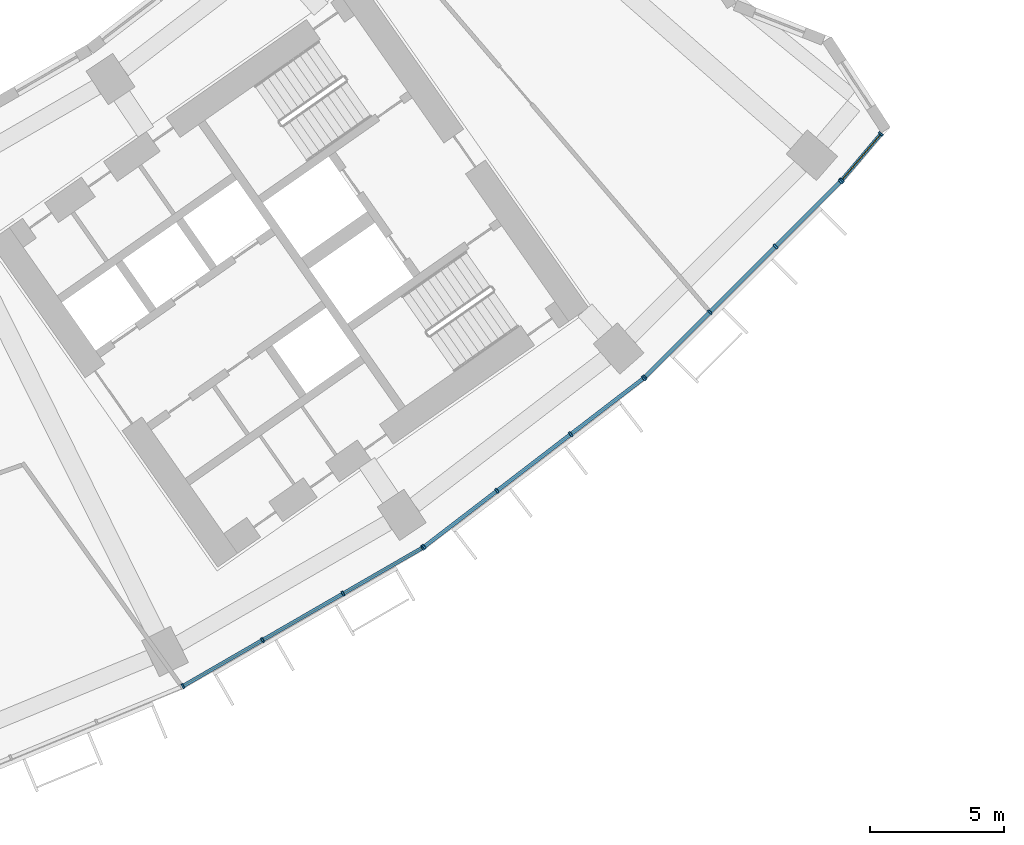
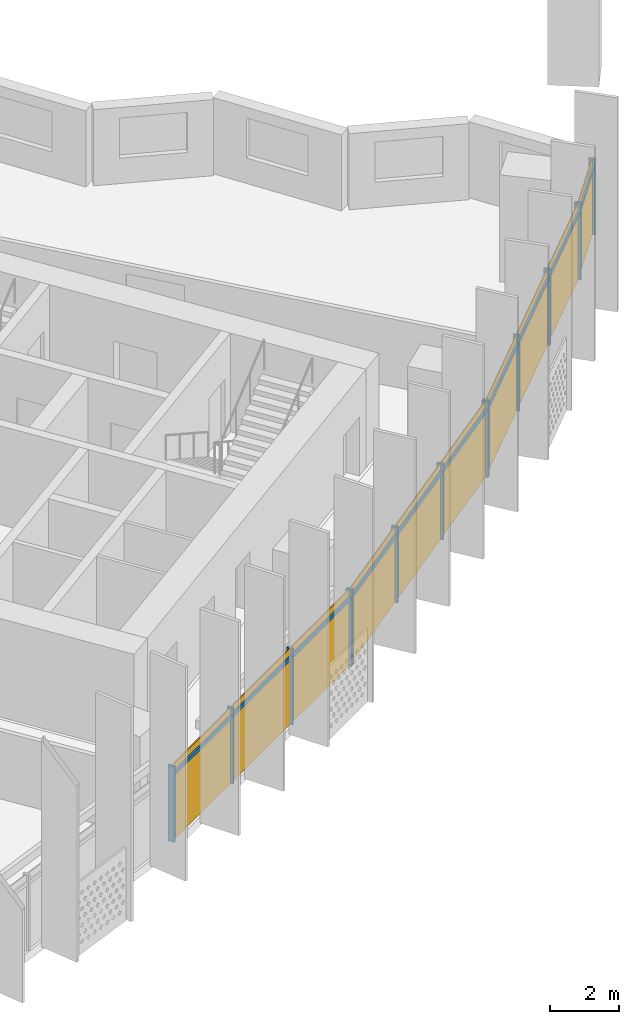
# One storey, part 22 of 30: 24 members, 4 curtain walls.
"""IFC4 building model written with IfcOpenShell, lengths in metres."""

from ifc_helpers import new_model, si_unit, direction, frame, origin, origin_2d, place, context, subcontext, project, spatial, rectangle, extrude, material, material_profile, profile_set, type_object, element, aggregate, save


model = new_model("IFC4")

# Units and contexts
model_context = context("Model", 3, precision=1e-05, world=origin(), true_north=direction((0.0, 1.0)))
body_context = subcontext(model_context, "Body", "Model", "MODEL_VIEW")
ifc_project = project(units=[si_unit("LENGTHUNIT", "METRE"), si_unit("AREAUNIT", "SQUARE_METRE"), si_unit("VOLUMEUNIT", "CUBIC_METRE"), si_unit("PLANEANGLEUNIT", "RADIAN"), si_unit("MASSUNIT", "GRAM", prefix="KILO")], contexts=[model_context])

# Member
ifc_material = material(Name="Aluminium 6063-T6 anodised", Category="aluminium")
ifc_material_profile_1 = material_profile(ifc_material, rectangle(XDim=0.199951171875, YDim=0.070068359375, at=origin_2d()))
ifc_profile_set_1 = profile_set([ifc_material_profile_1], Name="Aluminium 6063-T6 anodised")
member_type_1 = type_object("IfcMemberType", Name="Mullion 70 x 200 aluminium", PredefinedType="MULLION", material=ifc_profile_set_1)
site_placement = place(None, origin())
building_placement = place(site_placement, origin())
storey_placement = place(building_placement, frame((0.0, 0.0, 117.699951171875)))
member_1_placement = place(storey_placement, frame((35.0537109375, -71.017822265625, 0.0), z_axis=(0.0, 0.0, 1.0), x_axis=(-0.5, 0.866025403784, 0.0)))
member_1 = element("IfcMember", 1, at=member_1_placement, type_object=member_type_1, Name="e-cw1-L26-out13/M00", PredefinedType="MULLION", context=body_context, shape_type="SweptSolid", body=[
    extrude(rectangle(XDim=0.199951171875, YDim=0.070068359375, at=origin_2d()), origin(), (0.0, 0.0, 1.0), 2.699951171875),
])

member_2_placement = place(storey_placement, frame((38.017822265625, -69.306640625, 0.0), z_axis=(0.0, 0.0, 1.0), x_axis=(-0.5, 0.866025403784, 0.0)))
member_2 = element("IfcMember", 2, at=member_2_placement, type_object=member_type_1, Name="e-cw1-L26-out13/M01", PredefinedType="MULLION", context=body_context, shape_type="SweptSolid", body=[
    extrude(rectangle(XDim=0.199951171875, YDim=0.070068359375, at=origin_2d()), origin(), (0.0, 0.0, 1.0), 2.699951171875),
])

member_3_placement = place(storey_placement, frame((41.01220703125, -67.577880859375, 0.0), z_axis=(0.0, 0.0, 1.0), x_axis=(-0.5, 0.866025403784, 0.0)))
member_3 = element("IfcMember", 3, at=member_3_placement, type_object=member_type_1, Name="e-cw1-L26-out13/M02", PredefinedType="MULLION", context=body_context, shape_type="SweptSolid", body=[
    extrude(rectangle(XDim=0.199951171875, YDim=0.070068359375, at=origin_2d()), origin(), (0.0, 0.0, 1.0), 2.699951171875),
])

member_4_placement = place(storey_placement, frame((43.976318359375, -65.866455078125, 0.0), z_axis=(0.0, 0.0, 1.0), x_axis=(-0.5, 0.866025403784, 0.0)))
member_4 = element("IfcMember", 4, at=member_4_placement, type_object=member_type_1, Name="e-cw1-L26-out13/M03", PredefinedType="MULLION", context=body_context, shape_type="SweptSolid", body=[
    extrude(rectangle(XDim=0.199951171875, YDim=0.070068359375, at=origin_2d()), origin(), (0.0, 0.0, 1.0), 2.699951171875),
])

member_5_placement = place(storey_placement, frame((44.023681640625, -65.8349609375, 0.0), z_axis=(0.0, 0.0, 1.0), x_axis=(-0.608761429009, 0.793353340291, 0.0)))
member_5 = element("IfcMember", 5, at=member_5_placement, type_object=member_type_1, Name="e-cw1-L26-out14/M00", PredefinedType="MULLION", context=body_context, shape_type="SweptSolid", body=[
    extrude(rectangle(XDim=0.199951171875, YDim=0.070068359375, at=origin_2d()), origin(), (0.0, 0.0, 1.0), 2.699951171875),
])

member_6_placement = place(storey_placement, frame((46.739013671875, -63.751220703125, 0.0), z_axis=(0.0, 0.0, 1.0), x_axis=(-0.608761429009, 0.793353340291, 0.0)))
member_6 = element("IfcMember", 6, at=member_6_placement, type_object=member_type_1, Name="e-cw1-L26-out14/M01", PredefinedType="MULLION", context=body_context, shape_type="SweptSolid", body=[
    extrude(rectangle(XDim=0.199951171875, YDim=0.070068359375, at=origin_2d()), origin(), (0.0, 0.0, 1.0), 2.699951171875),
])

member_7_placement = place(storey_placement, frame((49.482177734375, -61.646484375, 0.0), z_axis=(0.0, 0.0, 1.0), x_axis=(-0.608761429009, 0.793353340291, 0.0)))
member_7 = element("IfcMember", 7, at=member_7_placement, type_object=member_type_1, Name="e-cw1-L26-out14/M02", PredefinedType="MULLION", context=body_context, shape_type="SweptSolid", body=[
    extrude(rectangle(XDim=0.199951171875, YDim=0.070068359375, at=origin_2d()), origin(), (0.0, 0.0, 1.0), 2.699951171875),
])

member_8_placement = place(storey_placement, frame((52.197509765625, -59.56298828125, 0.0), z_axis=(0.0, 0.0, 1.0), x_axis=(-0.608761429009, 0.793353340291, 0.0)))
member_8 = element("IfcMember", 8, at=member_8_placement, type_object=member_type_1, Name="e-cw1-L26-out14/M03", PredefinedType="MULLION", context=body_context, shape_type="SweptSolid", body=[
    extrude(rectangle(XDim=0.199951171875, YDim=0.070068359375, at=origin_2d()), origin(), (0.0, 0.0, 1.0), 2.699951171875),
])

member_9_placement = place(storey_placement, frame((52.240234375, -59.525390625, 0.0), z_axis=(0.0, 0.0, 1.0), x_axis=(-0.707106781187, 0.707106781187, 0.0)))
member_9 = element("IfcMember", 9, at=member_9_placement, type_object=member_type_1, Name="e-cw1-L26-out15/M00", PredefinedType="MULLION", context=body_context, shape_type="SweptSolid", body=[
    extrude(rectangle(XDim=0.199951171875, YDim=0.070068359375, at=origin_2d()), origin(), (0.0, 0.0, 1.0), 2.699951171875),
])

member_10_placement = place(storey_placement, frame((54.660400390625, -57.105224609375, 0.0), z_axis=(0.0, 0.0, 1.0), x_axis=(-0.707106781187, 0.707106781187, 0.0)))
member_10 = element("IfcMember", 10, at=member_10_placement, type_object=member_type_1, Name="e-cw1-L26-out15/M01", PredefinedType="MULLION", context=body_context, shape_type="SweptSolid", body=[
    extrude(rectangle(XDim=0.199951171875, YDim=0.070068359375, at=origin_2d()), origin(), (0.0, 0.0, 1.0), 2.699951171875),
])

member_11_placement = place(storey_placement, frame((57.105224609375, -54.660400390625, 0.0), z_axis=(0.0, 0.0, 1.0), x_axis=(-0.707106781187, 0.707106781187, 0.0)))
member_11 = element("IfcMember", 11, at=member_11_placement, type_object=member_type_1, Name="e-cw1-L26-out15/M02", PredefinedType="MULLION", context=body_context, shape_type="SweptSolid", body=[
    extrude(rectangle(XDim=0.199951171875, YDim=0.070068359375, at=origin_2d()), origin(), (0.0, 0.0, 1.0), 2.699951171875),
])

member_12_placement = place(storey_placement, frame((59.525390625, -52.240234375, 0.0), z_axis=(0.0, 0.0, 1.0), x_axis=(-0.707106781187, 0.707106781187, 0.0)))
member_12 = element("IfcMember", 12, at=member_12_placement, type_object=member_type_1, Name="e-cw1-L26-out15/M03", PredefinedType="MULLION", context=body_context, shape_type="SweptSolid", body=[
    extrude(rectangle(XDim=0.199951171875, YDim=0.070068359375, at=origin_2d()), origin(), (0.0, 0.0, 1.0), 2.699951171875),
])

member_13_placement = place(storey_placement, frame((59.567138671875, -52.19482421875, 0.0), z_axis=(0.0, 0.0, 1.0), x_axis=(-0.762997443444, 0.646401501621, 0.0)))
member_13 = element("IfcMember", 13, at=member_13_placement, type_object=member_type_1, Name="e-cw1-L26-out16/M00", PredefinedType="MULLION", context=body_context, shape_type="SweptSolid", body=[
    extrude(rectangle(XDim=0.199951171875, YDim=0.070068359375, at=origin_2d()), origin(), (0.0, 0.0, 1.0), 2.699951171875),
])

member_14_placement = place(storey_placement, frame((61.025146484375, -50.47412109375, 0.0), z_axis=(0.0, 0.0, 1.0), x_axis=(-0.762997443444, 0.646401501621, 0.0)))
member_14 = element("IfcMember", 14, at=member_14_placement, type_object=member_type_1, Name="e-cw1-L26-out16/M01", PredefinedType="MULLION", context=body_context, shape_type="SweptSolid", body=[
    extrude(rectangle(XDim=0.199951171875, YDim=0.070068359375, at=origin_2d()), origin(), (0.0, 0.0, 1.0), 2.699951171875),
])

ifc_material_profile_2 = material_profile(ifc_material, rectangle(XDim=0.139892578125, YDim=0.1201171875, at=origin_2d()))
ifc_profile_set_2 = profile_set([ifc_material_profile_2], Name="Aluminium 6063-T6 anodised")
member_type_2 = type_object("IfcMemberType", Name="Transom 120 x 140 aluminium", PredefinedType="USERDEFINED", material=ifc_profile_set_2)
member_15_placement = place(storey_placement, frame((35.084228515625, -71.00048828125, 2.400146484375), z_axis=(0.865989120267, 0.50006283963, 0.0), x_axis=(-0.50006283963, 0.865989120267, 0.0)))
member_15 = element("IfcMember", 15, at=member_15_placement, type_object=member_type_2, Name="e-cw1-L26-out13/T00", ObjectType="TRANSOM", PredefinedType="USERDEFINED", context=body_context, shape_type="SweptSolid", body=[
    extrude(rectangle(XDim=0.139892578125, YDim=0.1201171875, at=origin_2d()), origin(), (0.0, 0.0, 1.0), 3.3525390625),
])

member_16_placement = place(storey_placement, frame((38.048095703125, -69.2890625, 2.400146484375), z_axis=(0.866025971257, 0.499999017107, 0.0), x_axis=(-0.499999017107, 0.866025971257, 0.0)))
member_16 = element("IfcMember", 16, at=member_16_placement, type_object=member_type_2, Name="e-cw1-L26-out13/T01", ObjectType="TRANSOM", PredefinedType="USERDEFINED", context=body_context, shape_type="SweptSolid", body=[
    extrude(rectangle(XDim=0.139892578125, YDim=0.1201171875, at=origin_2d()), origin(), (0.0, 0.0, 1.0), 3.3876953125),
])

member_17_placement = place(storey_placement, frame((41.042724609375, -67.560302734375, 2.400146484375), z_axis=(0.866020654818, 0.50000822536, 0.0), x_axis=(-0.50000822536, 0.866020654818, 0.0)))
member_17 = element("IfcMember", 17, at=member_17_placement, type_object=member_type_2, Name="e-cw1-L26-out13/T02", ObjectType="TRANSOM", PredefinedType="USERDEFINED", context=body_context, shape_type="SweptSolid", body=[
    extrude(rectangle(XDim=0.139892578125, YDim=0.1201171875, at=origin_2d()), origin(), (0.0, 0.0, 1.0), 3.3525390625),
])

member_18_placement = place(storey_placement, frame((44.05126953125, -65.8134765625, 2.400146484375), z_axis=(0.793389477316, 0.608714331426, 0.0), x_axis=(-0.608714331426, 0.793389477316, 0.0)))
member_18 = element("IfcMember", 18, at=member_18_placement, type_object=member_type_2, Name="e-cw1-L26-out14/T00", ObjectType="TRANSOM", PredefinedType="USERDEFINED", context=body_context, shape_type="SweptSolid", body=[
    extrude(rectangle(XDim=0.139892578125, YDim=0.1201171875, at=origin_2d()), origin(), (0.0, 0.0, 1.0), 3.3525390625),
])

member_19_placement = place(storey_placement, frame((46.766845703125, -63.72998046875, 2.400146484375), z_axis=(0.793344133173, 0.608773427772, 0.0), x_axis=(-0.608773427772, 0.793344133173, 0.0)))
member_19 = element("IfcMember", 19, at=member_19_placement, type_object=member_type_2, Name="e-cw1-L26-out14/T01", ObjectType="TRANSOM", PredefinedType="USERDEFINED", context=body_context, shape_type="SweptSolid", body=[
    extrude(rectangle(XDim=0.139892578125, YDim=0.1201171875, at=origin_2d()), origin(), (0.0, 0.0, 1.0), 3.387451171875),
])

member_20_placement = place(storey_placement, frame((49.509765625, -61.625244140625, 2.400146484375), z_axis=(0.793354308621, 0.608760167055, 0.0), x_axis=(-0.608760167055, 0.793354308621, 0.0)))
member_20 = element("IfcMember", 20, at=member_20_placement, type_object=member_type_2, Name="e-cw1-L26-out14/T02", ObjectType="TRANSOM", PredefinedType="USERDEFINED", context=body_context, shape_type="SweptSolid", body=[
    extrude(rectangle(XDim=0.139892578125, YDim=0.1201171875, at=origin_2d()), origin(), (0.0, 0.0, 1.0), 3.352783203125),
])

member_21_placement = place(storey_placement, frame((52.264892578125, -59.500732421875, 2.400146484375), z_axis=(0.707106781187, 0.707106781187, 0.0), x_axis=(-0.707106781187, 0.707106781187, 0.0)))
member_21 = element("IfcMember", 21, at=member_21_placement, type_object=member_type_2, Name="e-cw1-L26-out15/T00", ObjectType="TRANSOM", PredefinedType="USERDEFINED", context=body_context, shape_type="SweptSolid", body=[
    extrude(rectangle(XDim=0.139892578125, YDim=0.1201171875, at=origin_2d()), origin(), (0.0, 0.0, 1.0), 3.3525390625),
])

member_22_placement = place(storey_placement, frame((54.68505859375, -57.08056640625, 2.400146484375), z_axis=(0.707106781187, 0.707106781187, 0.0), x_axis=(-0.707106781187, 0.707106781187, 0.0)))
member_22 = element("IfcMember", 22, at=member_22_placement, type_object=member_type_2, Name="e-cw1-L26-out15/T01", ObjectType="TRANSOM", PredefinedType="USERDEFINED", context=body_context, shape_type="SweptSolid", body=[
    extrude(rectangle(XDim=0.139892578125, YDim=0.1201171875, at=origin_2d()), origin(), (0.0, 0.0, 1.0), 3.3876953125),
])

member_23_placement = place(storey_placement, frame((57.130126953125, -54.635498046875, 2.400146484375), z_axis=(0.707106781187, 0.707106781187, 0.0), x_axis=(-0.707106781187, 0.707106781187, 0.0)))
member_23 = element("IfcMember", 23, at=member_23_placement, type_object=member_type_2, Name="e-cw1-L26-out15/T02", ObjectType="TRANSOM", PredefinedType="USERDEFINED", context=body_context, shape_type="SweptSolid", body=[
    extrude(rectangle(XDim=0.139892578125, YDim=0.1201171875, at=origin_2d()), origin(), (0.0, 0.0, 1.0), 3.3525390625),
])

member_24_placement = place(storey_placement, frame((59.58984375, -52.16796875, 2.400146484375), z_axis=(0.646437930823, 0.762966579604, 0.0), x_axis=(-0.762966579604, 0.646437930823, 0.0)))
member_24 = element("IfcMember", 24, at=member_24_placement, type_object=member_type_2, Name="e-cw1-L26-out16/T00", ObjectType="TRANSOM", PredefinedType="USERDEFINED", context=body_context, shape_type="SweptSolid", body=[
    extrude(rectangle(XDim=0.139892578125, YDim=0.1201171875, at=origin_2d()), origin(), (0.0, 0.0, 1.0), 2.185302734375),
])

# Site, building, storey
site = spatial("IfcSite", under=ifc_project, at=site_placement, CompositionType="ELEMENT")
building = spatial("IfcBuilding", under=site, at=building_placement, Name="Qamariyya Broadcast Tower", CompositionType="ELEMENT")
storey = spatial("IfcBuildingStorey", under=building, at=storey_placement, Name="L26", CompositionType="ELEMENT", Elevation=117.699951171875)

# Curtain wall
curtain_wall_type = type_object("IfcCurtainWallType", Name="Unitised curtain wall, anodised aluminium", PredefinedType="NOTDEFINED", material=ifc_material)
curtain_wall_1_placement = place(storey_placement, origin())
curtain_wall_1 = element("IfcCurtainWall", 25, at=curtain_wall_1_placement, inside=storey, type_object=curtain_wall_type, Name="e-cw1-L26-out13", PredefinedType="NOTDEFINED", context=body_context, shape_type="SweptSolid", body=[
    extrude(rectangle(XDim=3.352783203125, YDim=0.031982421875, at=origin_2d()), frame((36.535888671875, -70.162109375, 0.0), x_axis=(0.866027243369, 0.499996813733, 0.0)), (0.0, 0.0, 1.0), 2.340087890625),
    extrude(rectangle(XDim=3.352783203125, YDim=0.031982421875, at=origin_2d()), frame((36.535888671875, -70.162109375, 2.4599609375), x_axis=(0.866027243369, 0.499996813733, 0.0)), (0.0, 0.0, 1.0), 0.239990234375),
    extrude(rectangle(XDim=3.3876953125, YDim=0.031982421875, at=origin_2d()), frame((39.51513671875, -68.442138671875, 0.0), x_axis=(0.866027243369, 0.499996813733, 0.0)), (0.0, 0.0, 1.0), 2.340087890625),
    extrude(rectangle(XDim=3.3876953125, YDim=0.031982421875, at=origin_2d()), frame((39.51513671875, -68.442138671875, 2.4599609375), x_axis=(0.866027243369, 0.499996813733, 0.0)), (0.0, 0.0, 1.0), 0.239990234375),
    extrude(rectangle(XDim=3.352783203125, YDim=0.031982421875, at=origin_2d()), frame((42.494384765625, -66.72216796875, 0.0), x_axis=(0.866027243369, 0.499996813733, 0.0)), (0.0, 0.0, 1.0), 2.340087890625),
    extrude(rectangle(XDim=3.352783203125, YDim=0.031982421875, at=origin_2d()), frame((42.494384765625, -66.72216796875, 2.4599609375), x_axis=(0.866027243369, 0.499996813733, 0.0)), (0.0, 0.0, 1.0), 0.239990234375),
])

aggregate(curtain_wall_1, [member_1, member_2, member_3, member_4, member_15, member_16, member_17])

curtain_wall_2_placement = place(storey_placement, origin())
curtain_wall_2 = element("IfcCurtainWall", 26, at=curtain_wall_2_placement, inside=storey, type_object=curtain_wall_type, Name="e-cw1-L26-out14", PredefinedType="NOTDEFINED", context=body_context, shape_type="SweptSolid", body=[
    extrude(rectangle(XDim=3.352783203125, YDim=0.031982421875, at=origin_2d()), frame((45.38134765625, -64.793212890625, 0.0), x_axis=(0.793354000839, 0.608760568165, 0.0)), (0.0, 0.0, 1.0), 2.340087890625),
    extrude(rectangle(XDim=3.352783203125, YDim=0.031982421875, at=origin_2d()), frame((45.38134765625, -64.793212890625, 2.4599609375), x_axis=(0.793354000839, 0.608760568165, 0.0)), (0.0, 0.0, 1.0), 0.239990234375),
    extrude(rectangle(XDim=3.3876953125, YDim=0.031982421875, at=origin_2d()), frame((48.110595703125, -62.69873046875, 0.0), x_axis=(0.793354000839, 0.608760568165, 0.0)), (0.0, 0.0, 1.0), 2.340087890625),
    extrude(rectangle(XDim=3.3876953125, YDim=0.031982421875, at=origin_2d()), frame((48.110595703125, -62.69873046875, 2.4599609375), x_axis=(0.793354000839, 0.608760568165, 0.0)), (0.0, 0.0, 1.0), 0.239990234375),
    extrude(rectangle(XDim=3.352783203125, YDim=0.031982421875, at=origin_2d()), frame((50.83984375, -60.6044921875, 0.0), x_axis=(0.793354000839, 0.608760568165, 0.0)), (0.0, 0.0, 1.0), 2.340087890625),
    extrude(rectangle(XDim=3.352783203125, YDim=0.031982421875, at=origin_2d()), frame((50.83984375, -60.6044921875, 2.4599609375), x_axis=(0.793354000839, 0.608760568165, 0.0)), (0.0, 0.0, 1.0), 0.239990234375),
])

aggregate(curtain_wall_2, [member_5, member_6, member_7, member_8, member_18, member_19, member_20])

curtain_wall_3_placement = place(storey_placement, origin())
curtain_wall_3 = element("IfcCurtainWall", 27, at=curtain_wall_3_placement, inside=storey, type_object=curtain_wall_type, Name="e-cw1-L26-out15", PredefinedType="NOTDEFINED", context=body_context, shape_type="SweptSolid", body=[
    extrude(rectangle(XDim=3.352783203125, YDim=0.031982421875, at=origin_2d()), frame((53.4501953125, -58.3154296875, 0.0), x_axis=(0.707106781187, 0.707106781187, 0.0)), (0.0, 0.0, 1.0), 2.340087890625),
    extrude(rectangle(XDim=3.352783203125, YDim=0.031982421875, at=origin_2d()), frame((53.4501953125, -58.3154296875, 2.4599609375), x_axis=(0.707106781187, 0.707106781187, 0.0)), (0.0, 0.0, 1.0), 0.239990234375),
    extrude(rectangle(XDim=3.3876953125, YDim=0.031982421875, at=origin_2d()), frame((55.8828125, -55.8828125, 0.0), x_axis=(0.707106781187, 0.707106781187, 0.0)), (0.0, 0.0, 1.0), 2.340087890625),
    extrude(rectangle(XDim=3.3876953125, YDim=0.031982421875, at=origin_2d()), frame((55.8828125, -55.8828125, 2.4599609375), x_axis=(0.707106781187, 0.707106781187, 0.0)), (0.0, 0.0, 1.0), 0.239990234375),
    extrude(rectangle(XDim=3.352783203125, YDim=0.031982421875, at=origin_2d()), frame((58.3154296875, -53.4501953125, 0.0), x_axis=(0.707106781187, 0.707106781187, 0.0)), (0.0, 0.0, 1.0), 2.340087890625),
    extrude(rectangle(XDim=3.352783203125, YDim=0.031982421875, at=origin_2d()), frame((58.3154296875, -53.4501953125, 2.4599609375), x_axis=(0.707106781187, 0.707106781187, 0.0)), (0.0, 0.0, 1.0), 0.239990234375),
])

aggregate(curtain_wall_3, [member_9, member_10, member_11, member_12, member_21, member_22, member_23])

curtain_wall_4_placement = place(storey_placement, origin())
curtain_wall_4 = element("IfcCurtainWall", 28, at=curtain_wall_4_placement, inside=storey, type_object=curtain_wall_type, Name="e-cw1-L26-out16", PredefinedType="NOTDEFINED", context=body_context, shape_type="SweptSolid", body=[
    extrude(rectangle(XDim=2.185302734375, YDim=0.031982421875, at=origin_2d()), frame((60.296142578125, -51.33447265625, 0.0), x_axis=(0.646370461056, 0.763023739522, 0.0)), (0.0, 0.0, 1.0), 2.340087890625),
    extrude(rectangle(XDim=2.185302734375, YDim=0.031982421875, at=origin_2d()), frame((60.296142578125, -51.33447265625, 2.4599609375), x_axis=(0.646370461056, 0.763023739522, 0.0)), (0.0, 0.0, 1.0), 0.239990234375),
])

aggregate(curtain_wall_4, [member_13, member_14, member_24])

save(model, "model.ifc")
